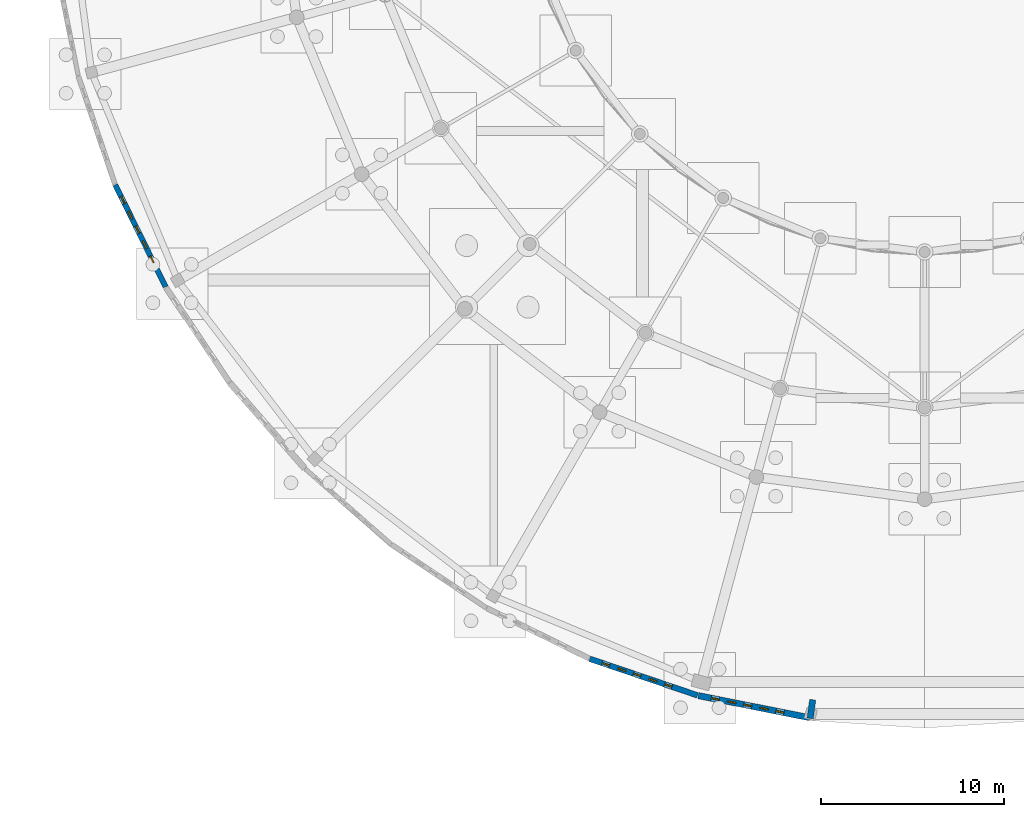
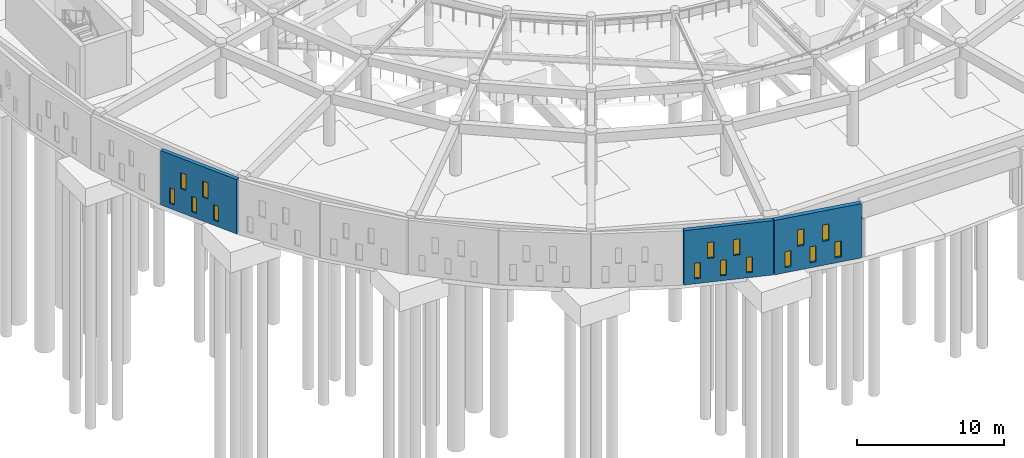
# One storey, part 42 of 84: 15 windows, 4 walls, 15 openings.
"""IFC4 building model written with IfcOpenShell, lengths in metres."""

from ifc_helpers import new_model, si_unit, direction, frame, frame_2d, origin, place, context, subcontext, project, spatial, rectangle, extrude, material, layer, layer_set, type_object, element, fill, save


model = new_model("IFC4")

# Units and contexts
model_context = context("Model", 3, precision=1e-05, world=origin(), true_north=direction((0.0, 1.0)))
body_context = subcontext(model_context, "Body", "Model", "MODEL_VIEW")
ifc_project = project(units=[si_unit("LENGTHUNIT", "METRE"), si_unit("AREAUNIT", "SQUARE_METRE"), si_unit("VOLUMEUNIT", "CUBIC_METRE"), si_unit("PLANEANGLEUNIT", "RADIAN"), si_unit("MASSUNIT", "GRAM", prefix="KILO")], contexts=[model_context])

# Site, building, storey
site_placement = place(None, origin())
site = spatial("IfcSite", under=ifc_project, at=site_placement, CompositionType="ELEMENT")
building_placement = place(site_placement, origin())
building = spatial("IfcBuilding", under=site, at=building_placement, Name="Larkveld Mobility Hub", CompositionType="ELEMENT")
storey_placement = place(building_placement, origin())
storey = spatial("IfcBuildingStorey", under=building, at=storey_placement, Name="L00", CompositionType="ELEMENT", Elevation=0.0)

# Wall, openings, windows
ifc_material_1 = material(Name="Fired clay brick 25 MPa", Category="masonry")
ifc_layer_1 = layer(ifc_material_1, 0.2900390625, Name="Fired clay brick 25 MPa", Category="masonry")
ifc_layer_set_1 = layer_set([ifc_layer_1], Name="Fired clay brick 25 MPa")
wall_type_1 = type_object("IfcWallType", Name="WL-BRK-290", PredefinedType="USERDEFINED", material=ifc_layer_set_1)
wall_1_placement = place(storey_placement, frame((3.802978515625, 29.6669921875, 0.0), z_axis=(0.0, 0.0, 1.0), x_axis=(0.442316740488, -0.896858908126, 0.0)))
wall_1 = element("IfcWall", 1, at=wall_1_placement, inside=storey, type_object=wall_type_1, Name="Drum Woven Open-Bond Brick Chord L00-0026", ObjectType="PERFORATED BRICK SCREEN", PredefinedType="USERDEFINED", context=body_context, shape_type="SweptSolid", body=[
    extrude(rectangle(XDim=6.210693359375, YDim=0.2900390625, at=frame_2d((3.10546875, 0.0))), origin(), (0.0, 0.0, 1.0), 4.5),
])
opening_1_placement = place(wall_1_placement, frame((0.719970703125, 0.0, 0.419921875)))
opening_1 = element("IfcOpeningElement", 2, at=opening_1_placement, cuts=wall_1, Name="Opening W01", PredefinedType="OPENING", context=body_context, shape_type="SweptSolid", body=[
    extrude(rectangle(XDim=0.419921875, YDim=1.280029296875, at=frame_2d((0.2099609375, 0.64013671875))), frame((0.0, 0.155029296875, 0.0), z_axis=(0.0, -1.0, 0.0), x_axis=(1.0, 0.0, 0.0)), (0.0, 0.0, 1.0), 0.31005859375),
])
opening_2_placement = place(wall_1_placement, frame((2.52001953125, 0.0, 0.419921875)))
opening_2 = element("IfcOpeningElement", 3, at=opening_2_placement, cuts=wall_1, Name="Opening W01", PredefinedType="OPENING", context=body_context, shape_type="SweptSolid", body=[
    extrude(rectangle(XDim=0.419921875, YDim=1.280029296875, at=frame_2d((0.2099609375, 0.64013671875))), frame((0.0, 0.155029296875, 0.0), z_axis=(0.0, -1.0, 0.0), x_axis=(1.0, 0.0, 0.0)), (0.0, 0.0, 1.0), 0.31005859375),
])
opening_3_placement = place(wall_1_placement, frame((4.320068359375, 0.0, 0.419921875)))
opening_3 = element("IfcOpeningElement", 4, at=opening_3_placement, cuts=wall_1, Name="Opening W01", PredefinedType="OPENING", context=body_context, shape_type="SweptSolid", body=[
    extrude(rectangle(XDim=0.419921875, YDim=1.280029296875, at=frame_2d((0.2099609375, 0.64013671875))), frame((0.0, 0.155029296875, 0.0), z_axis=(0.0, -1.0, 0.0), x_axis=(1.0, 0.0, 0.0)), (0.0, 0.0, 1.0), 0.31005859375),
])
opening_4_placement = place(wall_1_placement, frame((1.6201171875, 0.0, 1.97998046875)))
opening_4 = element("IfcOpeningElement", 5, at=opening_4_placement, cuts=wall_1, Name="Opening W02", PredefinedType="OPENING", context=body_context, shape_type="SweptSolid", body=[
    extrude(rectangle(XDim=0.449951171875, YDim=1.320068359375, at=frame_2d((0.22509765625, 0.66015625))), frame((0.0, 0.155029296875, 0.0), z_axis=(0.0, -1.0, 0.0), x_axis=(1.0, 0.0, 0.0)), (0.0, 0.0, 1.0), 0.31005859375),
])
opening_5_placement = place(wall_1_placement, frame((3.419921875, 0.0, 1.97998046875)))
opening_5 = element("IfcOpeningElement", 6, at=opening_5_placement, cuts=wall_1, Name="Opening W02", PredefinedType="OPENING", context=body_context, shape_type="SweptSolid", body=[
    extrude(rectangle(XDim=0.449951171875, YDim=1.320068359375, at=frame_2d((0.22509765625, 0.66015625))), frame((0.0, 0.155029296875, 0.0), z_axis=(0.0, -1.0, 0.0), x_axis=(1.0, 0.0, 0.0)), (0.0, 0.0, 1.0), 0.31005859375),
])
ifc_material_2 = material(Name="Extruded aluminium ventilation grille", Category="aluminium")
window_type_1 = type_object("IfcWindowType", Name="WN-VENT-01", PartitioningType="SINGLE_PANEL", PredefinedType="WINDOW", material=ifc_material_2)
window_1_placement = place(opening_1_placement, origin())
window_1 = element("IfcWindow", 7, at=window_1_placement, inside=storey, type_object=window_type_1, Name="Window W01 (0126)", OverallHeight=1.280029296875, OverallWidth=0.419921875, PartitioningType="SINGLE_PANEL", PredefinedType="WINDOW", context=body_context, shape_type="SweptSolid", body=[
    extrude(rectangle(XDim=0.419921875, YDim=1.280029296875, at=frame_2d((0.2099609375, 0.64013671875))), frame((0.0, 0.030029296875, 0.0), z_axis=(0.0, -1.0, 0.0), x_axis=(1.0, 0.0, 0.0)), (0.0, 0.0, 1.0), 0.06005859375),
])
fill(opening_1, window_1)
window_2_placement = place(opening_2_placement, origin())
window_2 = element("IfcWindow", 8, at=window_2_placement, inside=storey, type_object=window_type_1, Name="Window W01 (0127)", OverallHeight=1.280029296875, OverallWidth=0.419921875, PartitioningType="SINGLE_PANEL", PredefinedType="WINDOW", context=body_context, shape_type="SweptSolid", body=[
    extrude(rectangle(XDim=0.419921875, YDim=1.280029296875, at=frame_2d((0.2099609375, 0.64013671875))), frame((0.0, 0.030029296875, 0.0), z_axis=(0.0, -1.0, 0.0), x_axis=(1.0, 0.0, 0.0)), (0.0, 0.0, 1.0), 0.06005859375),
])
fill(opening_2, window_2)
window_3_placement = place(opening_3_placement, origin())
window_3 = element("IfcWindow", 9, at=window_3_placement, inside=storey, type_object=window_type_1, Name="Window W01 (0128)", OverallHeight=1.280029296875, OverallWidth=0.419921875, PartitioningType="SINGLE_PANEL", PredefinedType="WINDOW", context=body_context, shape_type="SweptSolid", body=[
    extrude(rectangle(XDim=0.419921875, YDim=1.280029296875, at=frame_2d((0.2099609375, 0.64013671875))), frame((0.0, 0.030029296875, 0.0), z_axis=(0.0, -1.0, 0.0), x_axis=(1.0, 0.0, 0.0)), (0.0, 0.0, 1.0), 0.06005859375),
])
fill(opening_3, window_3)
window_type_2 = type_object("IfcWindowType", Name="WN-VENT-02", PartitioningType="SINGLE_PANEL", PredefinedType="WINDOW", material=ifc_material_2)
window_4_placement = place(opening_4_placement, origin())
window_4 = element("IfcWindow", 10, at=window_4_placement, inside=storey, type_object=window_type_2, Name="Window W02 (0129)", OverallHeight=1.320068359375, OverallWidth=0.449951171875, PartitioningType="SINGLE_PANEL", PredefinedType="WINDOW", context=body_context, shape_type="SweptSolid", body=[
    extrude(rectangle(XDim=0.449951171875, YDim=1.320068359375, at=frame_2d((0.22509765625, 0.66015625))), frame((0.0, 0.030029296875, 0.0), z_axis=(0.0, -1.0, 0.0), x_axis=(1.0, 0.0, 0.0)), (0.0, 0.0, 1.0), 0.06005859375),
])
fill(opening_4, window_4)
window_5_placement = place(opening_5_placement, origin())
window_5 = element("IfcWindow", 11, at=window_5_placement, inside=storey, type_object=window_type_2, Name="Window W02 (0130)", OverallHeight=1.320068359375, OverallWidth=0.449951171875, PartitioningType="SINGLE_PANEL", PredefinedType="WINDOW", context=body_context, shape_type="SweptSolid", body=[
    extrude(rectangle(XDim=0.449951171875, YDim=1.320068359375, at=frame_2d((0.22509765625, 0.66015625))), frame((0.0, 0.030029296875, 0.0), z_axis=(0.0, -1.0, 0.0), x_axis=(1.0, 0.0, 0.0)), (0.0, 0.0, 1.0), 0.06005859375),
])
fill(opening_5, window_5)

ifc_layer_2 = layer(ifc_material_1, 0.31005859375, Name="Fired clay brick 25 MPa", Category="masonry")
ifc_layer_set_2 = layer_set([ifc_layer_2], Name="Fired clay brick 25 MPa")
wall_type_2 = type_object("IfcWallType", Name="WL-BRK-310", PredefinedType="USERDEFINED", material=ifc_layer_set_2)
wall_2_placement = place(storey_placement, frame((29.7119140625, 3.783935546875, 0.0), z_axis=(0.0, 0.0, 1.0), x_axis=(0.946955417172, -0.321364960579, 0.0)))
wall_2 = element("IfcWall", 12, at=wall_2_placement, inside=storey, type_object=wall_type_2, Name="Drum Woven Open-Bond Brick Chord L00-0032", ObjectType="PERFORATED BRICK SCREEN", PredefinedType="USERDEFINED", context=body_context, shape_type="SweptSolid", body=[
    extrude(rectangle(XDim=6.21044921875, YDim=0.31005859375, at=frame_2d((3.105224609375, 0.0))), origin(), (0.0, 0.0, 1.0), 4.5),
])
opening_6_placement = place(wall_2_placement, frame((0.719970703125, 0.0, 0.419921875)))
opening_6 = element("IfcOpeningElement", 13, at=opening_6_placement, cuts=wall_2, Name="Opening W01", PredefinedType="OPENING", context=body_context, shape_type="SweptSolid", body=[
    extrude(rectangle(XDim=0.419921875, YDim=1.280029296875, at=frame_2d((0.2099609375, 0.64013671875))), frame((0.0, 0.1650390625, 0.0), z_axis=(0.0, -1.0, 0.0), x_axis=(1.0, 0.0, 0.0)), (0.0, 0.0, 1.0), 0.330078125),
])
opening_7_placement = place(wall_2_placement, frame((2.52001953125, 0.0, 0.419921875)))
opening_7 = element("IfcOpeningElement", 14, at=opening_7_placement, cuts=wall_2, Name="Opening W01", PredefinedType="OPENING", context=body_context, shape_type="SweptSolid", body=[
    extrude(rectangle(XDim=0.419921875, YDim=1.280029296875, at=frame_2d((0.2099609375, 0.64013671875))), frame((0.0, 0.1650390625, 0.0), z_axis=(0.0, -1.0, 0.0), x_axis=(1.0, 0.0, 0.0)), (0.0, 0.0, 1.0), 0.330078125),
])
opening_8_placement = place(wall_2_placement, frame((4.320068359375, 0.0, 0.419921875)))
opening_8 = element("IfcOpeningElement", 15, at=opening_8_placement, cuts=wall_2, Name="Opening W01", PredefinedType="OPENING", context=body_context, shape_type="SweptSolid", body=[
    extrude(rectangle(XDim=0.419921875, YDim=1.280029296875, at=frame_2d((0.2099609375, 0.64013671875))), frame((0.0, 0.1650390625, 0.0), z_axis=(0.0, -1.0, 0.0), x_axis=(1.0, 0.0, 0.0)), (0.0, 0.0, 1.0), 0.330078125),
])
opening_9_placement = place(wall_2_placement, frame((1.6201171875, 0.0, 1.97998046875)))
opening_9 = element("IfcOpeningElement", 16, at=opening_9_placement, cuts=wall_2, Name="Opening W02", PredefinedType="OPENING", context=body_context, shape_type="SweptSolid", body=[
    extrude(rectangle(XDim=0.449951171875, YDim=1.320068359375, at=frame_2d((0.22509765625, 0.66015625))), frame((0.0, 0.1650390625, 0.0), z_axis=(0.0, -1.0, 0.0), x_axis=(1.0, 0.0, 0.0)), (0.0, 0.0, 1.0), 0.330078125),
])
opening_10_placement = place(wall_2_placement, frame((3.419921875, 0.0, 1.97998046875)))
opening_10 = element("IfcOpeningElement", 17, at=opening_10_placement, cuts=wall_2, Name="Opening W02", PredefinedType="OPENING", context=body_context, shape_type="SweptSolid", body=[
    extrude(rectangle(XDim=0.449951171875, YDim=1.320068359375, at=frame_2d((0.22509765625, 0.66015625))), frame((0.0, 0.1650390625, 0.0), z_axis=(0.0, -1.0, 0.0), x_axis=(1.0, 0.0, 0.0)), (0.0, 0.0, 1.0), 0.330078125),
])
window_6_placement = place(opening_6_placement, origin())
window_6 = element("IfcWindow", 18, at=window_6_placement, inside=storey, type_object=window_type_1, Name="Window W01 (0156)", OverallHeight=1.280029296875, OverallWidth=0.419921875, PartitioningType="SINGLE_PANEL", PredefinedType="WINDOW", context=body_context, shape_type="SweptSolid", body=[
    extrude(rectangle(XDim=0.419921875, YDim=1.280029296875, at=frame_2d((0.2099609375, 0.64013671875))), frame((0.0, 0.030029296875, 0.0), z_axis=(0.0, -1.0, 0.0), x_axis=(1.0, 0.0, 0.0)), (0.0, 0.0, 1.0), 0.06005859375),
])
fill(opening_6, window_6)
window_7_placement = place(opening_7_placement, origin())
window_7 = element("IfcWindow", 19, at=window_7_placement, inside=storey, type_object=window_type_1, Name="Window W01 (0157)", OverallHeight=1.280029296875, OverallWidth=0.419921875, PartitioningType="SINGLE_PANEL", PredefinedType="WINDOW", context=body_context, shape_type="SweptSolid", body=[
    extrude(rectangle(XDim=0.419921875, YDim=1.280029296875, at=frame_2d((0.2099609375, 0.64013671875))), frame((0.0, 0.030029296875, 0.0), z_axis=(0.0, -1.0, 0.0), x_axis=(1.0, 0.0, 0.0)), (0.0, 0.0, 1.0), 0.06005859375),
])
fill(opening_7, window_7)
window_8_placement = place(opening_8_placement, origin())
window_8 = element("IfcWindow", 20, at=window_8_placement, inside=storey, type_object=window_type_1, Name="Window W01 (0158)", OverallHeight=1.280029296875, OverallWidth=0.419921875, PartitioningType="SINGLE_PANEL", PredefinedType="WINDOW", context=body_context, shape_type="SweptSolid", body=[
    extrude(rectangle(XDim=0.419921875, YDim=1.280029296875, at=frame_2d((0.2099609375, 0.64013671875))), frame((0.0, 0.030029296875, 0.0), z_axis=(0.0, -1.0, 0.0), x_axis=(1.0, 0.0, 0.0)), (0.0, 0.0, 1.0), 0.06005859375),
])
fill(opening_8, window_8)
window_9_placement = place(opening_9_placement, origin())
window_9 = element("IfcWindow", 21, at=window_9_placement, inside=storey, type_object=window_type_2, Name="Window W02 (0159)", OverallHeight=1.320068359375, OverallWidth=0.449951171875, PartitioningType="SINGLE_PANEL", PredefinedType="WINDOW", context=body_context, shape_type="SweptSolid", body=[
    extrude(rectangle(XDim=0.449951171875, YDim=1.320068359375, at=frame_2d((0.22509765625, 0.66015625))), frame((0.0, 0.030029296875, 0.0), z_axis=(0.0, -1.0, 0.0), x_axis=(1.0, 0.0, 0.0)), (0.0, 0.0, 1.0), 0.06005859375),
])
fill(opening_9, window_9)
window_10_placement = place(opening_10_placement, origin())
window_10 = element("IfcWindow", 22, at=window_10_placement, inside=storey, type_object=window_type_2, Name="Window W02 (0160)", OverallHeight=1.320068359375, OverallWidth=0.449951171875, PartitioningType="SINGLE_PANEL", PredefinedType="WINDOW", context=body_context, shape_type="SweptSolid", body=[
    extrude(rectangle(XDim=0.449951171875, YDim=1.320068359375, at=frame_2d((0.22509765625, 0.66015625))), frame((0.0, 0.030029296875, 0.0), z_axis=(0.0, -1.0, 0.0), x_axis=(1.0, 0.0, 0.0)), (0.0, 0.0, 1.0), 0.06005859375),
])
fill(opening_10, window_10)

ifc_layer_3 = layer(ifc_material_1, 0.340087890625, Name="Fired clay brick 25 MPa", Category="masonry")
ifc_layer_set_3 = layer_set([ifc_layer_3], Name="Fired clay brick 25 MPa")
wall_type_3 = type_object("IfcWallType", Name="WL-BRK-340", PredefinedType="USERDEFINED", material=ifc_layer_set_3)
wall_3_placement = place(storey_placement, frame((35.639892578125, 1.77490234375, 0.0), z_axis=(0.0, 0.0, 1.0), x_axis=(0.980799338869, -0.195019632022, 0.0)))
wall_3 = element("IfcWall", 23, at=wall_3_placement, inside=storey, type_object=wall_type_3, Name="Drum Woven Open-Bond Brick Chord L00-0033", ObjectType="PERFORATED BRICK SCREEN", PredefinedType="USERDEFINED", context=body_context, shape_type="SweptSolid", body=[
    extrude(rectangle(XDim=6.209228515625, YDim=0.340087890625, at=frame_2d((3.1044921875, 0.0))), origin(), (0.0, 0.0, 1.0), 4.5),
])
opening_11_placement = place(wall_3_placement, frame((0.719970703125, 0.0, 0.419921875)))
opening_11 = element("IfcOpeningElement", 24, at=opening_11_placement, cuts=wall_3, Name="Opening W02", PredefinedType="OPENING", context=body_context, shape_type="SweptSolid", body=[
    extrude(rectangle(XDim=0.449951171875, YDim=1.320068359375, at=frame_2d((0.22509765625, 0.66015625))), frame((0.0, 0.18017578125, 0.0), z_axis=(0.0, -1.0, 0.0), x_axis=(1.0, 0.0, 0.0)), (0.0, 0.0, 1.0), 0.360107421875),
])
opening_12_placement = place(wall_3_placement, frame((2.52001953125, 0.0, 0.419921875)))
opening_12 = element("IfcOpeningElement", 25, at=opening_12_placement, cuts=wall_3, Name="Opening W02", PredefinedType="OPENING", context=body_context, shape_type="SweptSolid", body=[
    extrude(rectangle(XDim=0.449951171875, YDim=1.320068359375, at=frame_2d((0.22509765625, 0.66015625))), frame((0.0, 0.18017578125, 0.0), z_axis=(0.0, -1.0, 0.0), x_axis=(1.0, 0.0, 0.0)), (0.0, 0.0, 1.0), 0.360107421875),
])
opening_13_placement = place(wall_3_placement, frame((4.320068359375, 0.0, 0.419921875)))
opening_13 = element("IfcOpeningElement", 26, at=opening_13_placement, cuts=wall_3, Name="Opening W02", PredefinedType="OPENING", context=body_context, shape_type="SweptSolid", body=[
    extrude(rectangle(XDim=0.449951171875, YDim=1.320068359375, at=frame_2d((0.22509765625, 0.66015625))), frame((0.0, 0.18017578125, 0.0), z_axis=(0.0, -1.0, 0.0), x_axis=(1.0, 0.0, 0.0)), (0.0, 0.0, 1.0), 0.360107421875),
])
opening_14_placement = place(wall_3_placement, frame((1.6201171875, 0.0, 1.97998046875)))
opening_14 = element("IfcOpeningElement", 27, at=opening_14_placement, cuts=wall_3, Name="Opening W03", PredefinedType="OPENING", context=body_context, shape_type="SweptSolid", body=[
    extrude(rectangle(XDim=0.47998046875, YDim=1.360107421875, at=frame_2d((0.239990234375, 0.68017578125))), frame((0.0, 0.18017578125, 0.0), z_axis=(0.0, -1.0, 0.0), x_axis=(1.0, 0.0, 0.0)), (0.0, 0.0, 1.0), 0.360107421875),
])
opening_15_placement = place(wall_3_placement, frame((3.419921875, 0.0, 1.97998046875)))
opening_15 = element("IfcOpeningElement", 28, at=opening_15_placement, cuts=wall_3, Name="Opening W03", PredefinedType="OPENING", context=body_context, shape_type="SweptSolid", body=[
    extrude(rectangle(XDim=0.47998046875, YDim=1.360107421875, at=frame_2d((0.239990234375, 0.68017578125))), frame((0.0, 0.18017578125, 0.0), z_axis=(0.0, -1.0, 0.0), x_axis=(1.0, 0.0, 0.0)), (0.0, 0.0, 1.0), 0.360107421875),
])
window_11_placement = place(opening_11_placement, origin())
window_11 = element("IfcWindow", 29, at=window_11_placement, inside=storey, type_object=window_type_2, Name="Window W02 (0161)", OverallHeight=1.320068359375, OverallWidth=0.449951171875, PartitioningType="SINGLE_PANEL", PredefinedType="WINDOW", context=body_context, shape_type="SweptSolid", body=[
    extrude(rectangle(XDim=0.449951171875, YDim=1.320068359375, at=frame_2d((0.22509765625, 0.66015625))), frame((0.0, 0.030029296875, 0.0), z_axis=(0.0, -1.0, 0.0), x_axis=(1.0, 0.0, 0.0)), (0.0, 0.0, 1.0), 0.06005859375),
])
fill(opening_11, window_11)
window_12_placement = place(opening_12_placement, origin())
window_12 = element("IfcWindow", 30, at=window_12_placement, inside=storey, type_object=window_type_2, Name="Window W02 (0162)", OverallHeight=1.320068359375, OverallWidth=0.449951171875, PartitioningType="SINGLE_PANEL", PredefinedType="WINDOW", context=body_context, shape_type="SweptSolid", body=[
    extrude(rectangle(XDim=0.449951171875, YDim=1.320068359375, at=frame_2d((0.22509765625, 0.66015625))), frame((0.0, 0.030029296875, 0.0), z_axis=(0.0, -1.0, 0.0), x_axis=(1.0, 0.0, 0.0)), (0.0, 0.0, 1.0), 0.06005859375),
])
fill(opening_12, window_12)
window_13_placement = place(opening_13_placement, origin())
window_13 = element("IfcWindow", 31, at=window_13_placement, inside=storey, type_object=window_type_2, Name="Window W02 (0163)", OverallHeight=1.320068359375, OverallWidth=0.449951171875, PartitioningType="SINGLE_PANEL", PredefinedType="WINDOW", context=body_context, shape_type="SweptSolid", body=[
    extrude(rectangle(XDim=0.449951171875, YDim=1.320068359375, at=frame_2d((0.22509765625, 0.66015625))), frame((0.0, 0.030029296875, 0.0), z_axis=(0.0, -1.0, 0.0), x_axis=(1.0, 0.0, 0.0)), (0.0, 0.0, 1.0), 0.06005859375),
])
fill(opening_13, window_13)
window_type_3 = type_object("IfcWindowType", Name="WN-VENT-03", PartitioningType="SINGLE_PANEL", PredefinedType="WINDOW", material=ifc_material_2)
window_14_placement = place(opening_14_placement, origin())
window_14 = element("IfcWindow", 32, at=window_14_placement, inside=storey, type_object=window_type_3, Name="Window W03 (0164)", OverallHeight=1.360107421875, OverallWidth=0.47998046875, PartitioningType="SINGLE_PANEL", PredefinedType="WINDOW", context=body_context, shape_type="SweptSolid", body=[
    extrude(rectangle(XDim=0.47998046875, YDim=1.360107421875, at=frame_2d((0.239990234375, 0.68017578125))), frame((0.0, 0.030029296875, 0.0), z_axis=(0.0, -1.0, 0.0), x_axis=(1.0, 0.0, 0.0)), (0.0, 0.0, 1.0), 0.06005859375),
])
fill(opening_14, window_14)
window_15_placement = place(opening_15_placement, origin())
window_15 = element("IfcWindow", 33, at=window_15_placement, inside=storey, type_object=window_type_3, Name="Window W03 (0165)", OverallHeight=1.360107421875, OverallWidth=0.47998046875, PartitioningType="SINGLE_PANEL", PredefinedType="WINDOW", context=body_context, shape_type="SweptSolid", body=[
    extrude(rectangle(XDim=0.47998046875, YDim=1.360107421875, at=frame_2d((0.239990234375, 0.68017578125))), frame((0.0, 0.030029296875, 0.0), z_axis=(0.0, -1.0, 0.0), x_axis=(1.0, 0.0, 0.0)), (0.0, 0.0, 1.0), 0.06005859375),
])
fill(opening_15, window_15)

# Wall
wall_4_placement = place(storey_placement, frame((41.885009765625, 1.551025390625, 0.0), z_axis=(0.0, 0.0, 1.0), x_axis=(-0.131092230435, -0.991370176634, 0.0)))
element("IfcWall", 34, at=wall_4_placement, inside=storey, type_object=wall_type_3, Name="Drum Entrance Portal West Brick Reveal 0034", ObjectType="PERFORATED BRICK SCREEN", PredefinedType="USERDEFINED", context=body_context, shape_type="SweptSolid", body=[
    extrude(rectangle(XDim=1.02978515625, YDim=0.340087890625, at=frame_2d((0.514892578125, 0.0))), origin(), (0.0, 0.0, 1.0), 3.14990234375),
])

save(model, "model.ifc")
